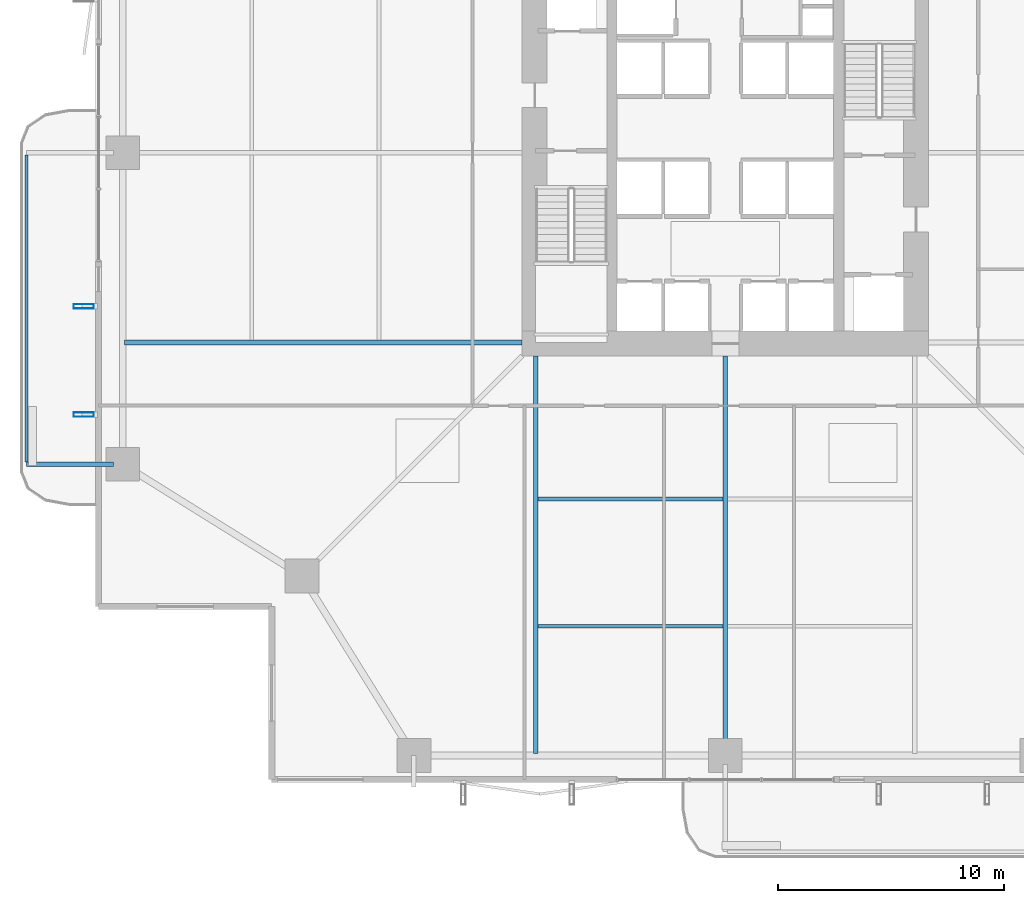
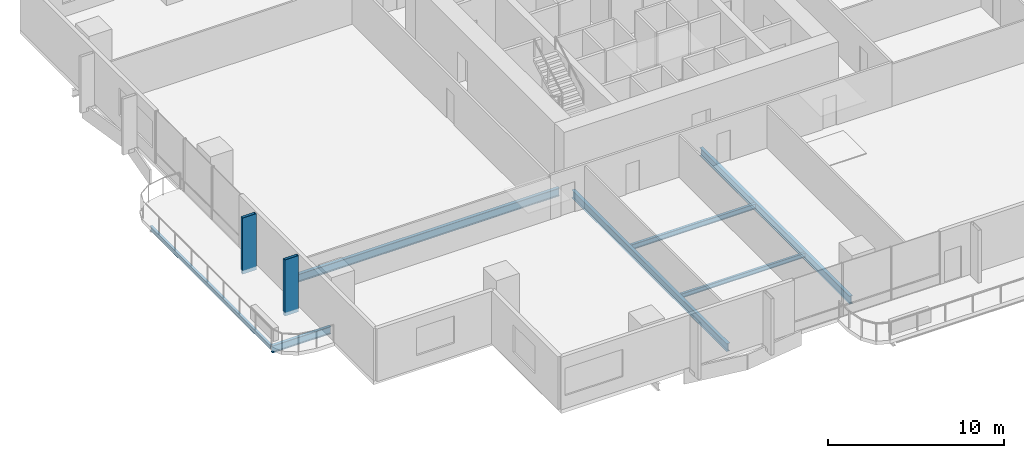
# One storey, part 3 of 24: 7 beams, 2 members.
"""IFC4 building model written with IfcOpenShell, lengths in metres."""

import ifcopenshell
import ifcopenshell.guid

model = None  # the IFC model being written
_history = None  # IfcOwnerHistory: only IFC2X3 demands one
_inside = {}  # id of a spatial element -> (the spatial element, [elements in it])
_under = {}  # id of a project, library or spatial element -> (it, [spatial elements below it])
_declared = {}  # id of a project -> (the project, [libraries it declares])
_typed = {}  # id of a type object -> (the type object, [elements of that type])
_made_of = {}  # id of a material, layer set ... -> (it, [elements and type objects made of it])


def new_model(schema):
    """Start an empty IFC model of exactly this schema.

    Asked for "IFC4X3", IfcOpenShell would pick the latest addendum, in which some entities
    have other attributes; the version numbers below select the first issue.
    IFC2X3 requires an IfcOwnerHistory on every rooted entity: one is made here for all.
    """
    global model, _history
    if schema == "IFC4X3":
        model = ifcopenshell.file(schema_version=(4, 3, 0, 0))
    else:
        model = ifcopenshell.file(schema=schema)
    _inside.clear()
    _under.clear()
    _declared.clear()
    _typed.clear()
    _made_of.clear()
    _history = None
    if model.schema == "IFC2X3":
        org = make("IfcOrganization", Name="unknown")
        user = make(
            "IfcPersonAndOrganization",
            ThePerson=make("IfcPerson", FamilyName="unknown"),
            TheOrganization=org,
        )
        app = make(
            "IfcApplication",
            ApplicationDeveloper=org,
            Version="unknown",
            ApplicationFullName="unknown",
            ApplicationIdentifier="unknown",
        )
        _history = make(
            "IfcOwnerHistory",
            OwningUser=user,
            OwningApplication=app,
            ChangeAction="ADDED",
            CreationDate=0,
        )
    return model


def make(cls, **values):
    """One entity of the class cls with the attributes given. An attribute that is None is left unset."""
    return model.create_entity(
        cls, **{name: value for name, value in values.items() if value is not None}
    )


def rooted(cls, **values):
    """An entity with a GlobalId (a new one), such as an element, a storey or a relation."""
    return make(cls, GlobalId=ifcopenshell.guid.new(), OwnerHistory=_history, **values)


def si_unit(unit_type, name, prefix=None):
    """IfcSIUnit, for example si_unit("LENGTHUNIT", "METRE", prefix="MILLI")."""
    return make("IfcSIUnit", UnitType=unit_type, Prefix=prefix, Name=name)


def assignment(units):
    """IfcUnitAssignment: the units of a project."""
    return None if units is None else make("IfcUnitAssignment", Units=units)


def point(xyz):
    """IfcCartesianPoint."""
    return None if xyz is None else make("IfcCartesianPoint", Coordinates=xyz)


def direction(xyz):
    """IfcDirection."""
    return None if xyz is None else make("IfcDirection", DirectionRatios=xyz)


def frame(location, z_axis=None, x_axis=None):
    """IfcAxis2Placement3D, a coordinate frame: its origin and axes. An axis left out is left unset."""
    return make(
        "IfcAxis2Placement3D",
        Location=point(location),
        Axis=direction(z_axis),
        RefDirection=direction(x_axis),
    )


def frame_2d(location, x_axis=None):
    """IfcAxis2Placement2D, a coordinate frame in the plane: its origin and x axis."""
    return make(
        "IfcAxis2Placement2D", Location=point(location), RefDirection=direction(x_axis)
    )


def origin():
    """The frame at (0, 0, 0) with its axes left unset."""
    return frame((0.0, 0.0, 0.0))


def origin_2d():
    """The frame at (0, 0) in the plane with its x axis left unset."""
    return frame_2d((0.0, 0.0))


def place(relative_to, where):
    """IfcLocalPlacement: puts the frame where relative to a parent placement (None: the world)."""
    return make(
        "IfcLocalPlacement", PlacementRelTo=relative_to, RelativePlacement=where
    )


def context(
    kind, dimensions, precision=None, world=None, true_north=None, identifier=None
):
    """IfcGeometricRepresentationContext, for example the 3D "Model" context."""
    return make(
        "IfcGeometricRepresentationContext",
        ContextIdentifier=identifier,
        ContextType=kind,
        CoordinateSpaceDimension=dimensions,
        Precision=precision,
        WorldCoordinateSystem=world,
        TrueNorth=true_north,
    )


def subcontext(parent, identifier, kind, view, scale=None):
    """IfcGeometricRepresentationSubContext, for example "Body" below "Model"."""
    return make(
        "IfcGeometricRepresentationSubContext",
        ContextIdentifier=identifier,
        ContextType=kind,
        ParentContext=parent,
        TargetScale=scale,
        TargetView=view,
    )


def project(units=None, contexts=None):
    """IfcProject with its units and contexts."""
    return rooted(
        "IfcProject",
        Name="project",
        RepresentationContexts=contexts,
        UnitsInContext=assignment(units),
    )


def spatial(cls, under=None, at=None, **own):
    """A site, building, storey or space (cls), placed at a placement, below another one or the project."""
    s = rooted(cls, ObjectPlacement=at, **own)
    if under is not None:
        _under.setdefault(under.id(), (under, []))[1].append(s)
    return s


def profile(cls, at=None, kind="AREA", **sizes):
    """A parametric profile (cls). Its sizes go by their IFC names, for example OverallWidth=200.0."""
    return make(cls, ProfileType=kind, Position=at, **sizes)


def hollow_rectangle(**sizes):
    """IfcRectangleHollowProfileDef."""
    return profile("IfcRectangleHollowProfileDef", **sizes)


def i_section(**sizes):
    """IfcIShapeProfileDef."""
    return profile("IfcIShapeProfileDef", **sizes)


def extrude(swept, where, along, depth):
    """IfcExtrudedAreaSolid: the profile swept, set in the frame where, extruded along a direction by depth."""
    return make(
        "IfcExtrudedAreaSolid",
        SweptArea=swept,
        Position=where,
        ExtrudedDirection=direction(along),
        Depth=depth,
    )


def shape(context_of_items, identifier, shape_type, items):
    """IfcShapeRepresentation: the items that make up one representation, for example the "Body"."""
    return make(
        "IfcShapeRepresentation",
        ContextOfItems=context_of_items,
        RepresentationIdentifier=identifier,
        RepresentationType=shape_type,
        Items=items,
    )


def material(Name=None, Category=None):
    """IfcMaterial."""
    return make("IfcMaterial", Name=Name, Category=Category)


def material_profile(
    of_material, cross_section, Name=None, Category=None, Priority=None
):
    """IfcMaterialProfile: a cross section and its material."""
    return make(
        "IfcMaterialProfile",
        Name=Name,
        Material=of_material,
        Profile=cross_section,
        Priority=Priority,
        Category=Category,
    )


def profile_set(profiles, Name=None, composite=None):
    """IfcMaterialProfileSet."""
    return make(
        "IfcMaterialProfileSet",
        Name=Name,
        MaterialProfiles=profiles,
        CompositeProfile=composite,
    )


def made_of(thing, what):
    """Note that an element or type object is made of a material, layer set ...; save() writes the relation."""
    if what is not None:
        _made_of.setdefault(what.id(), (what, []))[1].append(thing)
    return thing


def type_object(cls, material=None, **own):
    """A type object (cls), such as IfcWallType, which elements share."""
    return made_of(rooted(cls, **own), material)


def element(
    cls,
    number,
    at=None,
    inside=None,
    cuts=None,
    type_object=None,
    material=None,
    context=None,
    identifier="Body",
    shape_type=None,
    held_by="IfcProductDefinitionShape",
    body=None,
    shapes=None,
    **own,
):
    """One element of the class cls, such as IfcWall. Its Tag is "e" and its number.

    at: its placement. inside: the storey or other place that contains it. cuts: it is an
    opening in that element (IfcRelVoidsElement). A single representation is given by context,
    identifier, shape_type and body (its items); several are given by shapes. held_by: the class
    of the entity that holds the representations. save() writes the other relations.
    """
    e = rooted(cls, Tag="e%d" % number, ObjectPlacement=at, **own)
    if body is not None:
        shapes = [shape(context, identifier, shape_type, body)]
    if shapes is not None:
        e.Representation = make(held_by, Representations=shapes)
    if inside is not None:
        _inside.setdefault(inside.id(), (inside, []))[1].append(e)
    if cuts is not None:
        rooted(
            "IfcRelVoidsElement", RelatingBuildingElement=cuts, RelatedOpeningElement=e
        )
    if type_object is not None:
        _typed.setdefault(type_object.id(), (type_object, []))[1].append(e)
    return made_of(e, material)


def aggregate(whole, parts):
    """IfcRelAggregates: a whole, such as a stair, and the parts it consists of."""
    return rooted("IfcRelAggregates", RelatingObject=whole, RelatedObjects=parts)


def save(model, path):
    """Write the relations noted so far, then the file.

    IfcRelAggregates (storeys below a building ...), IfcRelContainedInSpatialStructure (elements
    in a storey), IfcRelDefinesByType, IfcRelAssociatesMaterial and IfcRelDeclares: one each for
    every whole, place, type object, material and project.
    """
    for whole, parts in _under.values():
        aggregate(whole, parts)
    for where, things in _inside.values():
        rooted(
            "IfcRelContainedInSpatialStructure",
            RelatedElements=things,
            RelatingStructure=where,
        )
    for kind, things in _typed.values():
        rooted("IfcRelDefinesByType", RelatedObjects=things, RelatingType=kind)
    for what, things in _made_of.values():
        rooted("IfcRelAssociatesMaterial", RelatedObjects=things, RelatingMaterial=what)
    for by, libraries in _declared.values():
        rooted("IfcRelDeclares", RelatingContext=by, RelatedDefinitions=libraries)
    model.write(path)


model = new_model("IFC4")

# Units and contexts
model_context = context("Model", 3, precision=1e-05, world=origin(), true_north=direction((0.0, 1.0)))
body_context = subcontext(model_context, "Body", "Model", "MODEL_VIEW")
ifc_project = project(units=[si_unit("LENGTHUNIT", "METRE"), si_unit("AREAUNIT", "SQUARE_METRE"), si_unit("VOLUMEUNIT", "CUBIC_METRE"), si_unit("PLANEANGLEUNIT", "RADIAN"), si_unit("MASSUNIT", "GRAM", prefix="KILO")], contexts=[model_context])

# Site, building, storey
site_placement = place(None, origin())
site = spatial("IfcSite", under=ifc_project, at=site_placement, CompositionType="ELEMENT")
building_placement = place(site_placement, origin())
building = spatial("IfcBuilding", under=site, at=building_placement, Name="Belovzor Exchange Tower", CompositionType="ELEMENT")
storey_placement = place(building_placement, frame((0.0, 0.0, 96.300048828125)))
storey = spatial("IfcBuildingStorey", under=building, at=storey_placement, Name="L23", CompositionType="ELEMENT", Elevation=96.300048828125)

# Beams
ifc_material_1 = material(Name="Steel S355", Category="steel")
ifc_material_profile_1 = material_profile(ifc_material_1, i_section(OverallWidth=0.199951171875, OverallDepth=0.5, WebThickness=0.01025390625, FlangeThickness=0.01611328125, at=origin_2d()))
ifc_profile_set_1 = profile_set([ifc_material_profile_1], Name="Steel S355")
beam_type_1 = type_object("IfcBeamType", Name="Planted Balcony Cantilever Beam IPE 500", PredefinedType="BEAM", material=ifc_profile_set_1)
beam_1_placement = place(storey_placement, frame((1.68798828125, 15.0, -0.5), z_axis=(-1.0, 0.0, 0.0), x_axis=(0.0, -1.0, 0.0)))
element("IfcBeam", 1, at=beam_1_placement, inside=storey, type_object=beam_type_1, Name="BC-500 Planted Balcony Cantilever Beam IPE 500", PredefinedType="BEAM", context=body_context, shape_type="SweptSolid", body=[
    extrude(i_section(OverallWidth=0.199951171875, OverallDepth=0.5, WebThickness=0.01025390625, FlangeThickness=0.01611328125, at=origin_2d()), origin(), (0.0, 0.0, 1.0), 3.85009765625),
])
ifc_material_2 = material(Name="Steel S355", Category="steel")
ifc_material_profile_2 = material_profile(ifc_material_2, i_section(OverallWidth=0.14990234375, OverallDepth=0.300048828125, WebThickness=0.007080078125, FlangeThickness=0.0107421875, at=origin_2d()))
ifc_profile_set_2 = profile_set([ifc_material_profile_2], Name="Steel S355")
beam_type_2 = type_object("IfcBeamType", Name="Planted Balcony Fascia Edge Beam IPE 300", PredefinedType="BEAM", material=ifc_profile_set_2)
beam_2_placement = place(storey_placement, frame((-2.162109375, 28.699951171875, -0.400146484375), z_axis=(0.0, -1.0, 0.0), x_axis=(1.0, 0.0, 0.0)))
element("IfcBeam", 2, at=beam_2_placement, inside=storey, type_object=beam_type_2, Name="BC-300 Planted Balcony Fascia Edge Beam IPE 300", PredefinedType="BEAM", context=body_context, shape_type="SweptSolid", body=[
    extrude(i_section(OverallWidth=0.14990234375, OverallDepth=0.300048828125, WebThickness=0.007080078125, FlangeThickness=0.0107421875, at=origin_2d()), origin(), (0.0, 0.0, 1.0), 13.599853515625),
])
ifc_material_3 = material(Name="Steel S355", Category="steel")
ifc_material_profile_3 = material_profile(ifc_material_3, i_section(OverallWidth=0.169921875, OverallDepth=0.360107421875, WebThickness=0.008056640625, FlangeThickness=0.0126953125, at=origin_2d()))
ifc_profile_set_3 = profile_set([ifc_material_profile_3], Name="Steel S355")
beam_type_3 = type_object("IfcBeamType", Name="Secondary Infill Floor Joist IPE 360", PredefinedType="BEAM", material=ifc_profile_set_3)
beam_3_placement = place(storey_placement, frame((20.5048828125, 13.455078125, -0.429931640625), z_axis=(1.0, 0.0, 0.0), x_axis=(0.0, 1.0, 0.0)))
element("IfcBeam", 3, at=beam_3_placement, inside=storey, type_object=beam_type_3, Name="FJ-360 Secondary Infill Floor Joist IPE 360", PredefinedType="BEAM", context=body_context, shape_type="SweptSolid", body=[
    extrude(i_section(OverallWidth=0.169921875, OverallDepth=0.360107421875, WebThickness=0.008056640625, FlangeThickness=0.0126953125, at=origin_2d()), origin(), (0.0, 0.0, 1.0), 8.190185546875),
])
ifc_material_4 = material(Name="Steel S355", Category="steel")
ifc_material_profile_4 = material_profile(ifc_material_4, i_section(OverallWidth=0.14990234375, OverallDepth=0.300048828125, WebThickness=0.007080078125, FlangeThickness=0.0107421875, at=origin_2d()))
ifc_profile_set_4 = profile_set([ifc_material_profile_4], Name="Steel S355")
beam_type_4 = type_object("IfcBeamType", Name="Secondary Trim Floor Joist IPE 300", PredefinedType="BEAM", material=ifc_profile_set_4)
beam_4_placement = place(storey_placement, frame((20.5048828125, 7.81494140625, -0.400146484375), z_axis=(1.0, 0.0, 0.0), x_axis=(0.0, 1.0, 0.0)))
element("IfcBeam", 4, at=beam_4_placement, inside=storey, type_object=beam_type_4, Name="FJ-300 Secondary Trim Floor Joist IPE 300", PredefinedType="BEAM", context=body_context, shape_type="SweptSolid", body=[
    extrude(i_section(OverallWidth=0.14990234375, OverallDepth=0.300048828125, WebThickness=0.007080078125, FlangeThickness=0.0107421875, at=origin_2d()), origin(), (0.0, 0.0, 1.0), 8.190185546875),
])

# Members
ifc_material_5 = material(Name="Extruded Architectural Terracotta on Steel S355 Carrier", Category="masonry")
ifc_material_profile_5 = material_profile(ifc_material_5, hollow_rectangle(XDim=0.199951171875, YDim=0.89990234375, WallThickness=0.011962890625, at=origin_2d()))
ifc_profile_set_5 = profile_set([ifc_material_profile_5], Name="Extruded Architectural Terracotta on Steel S355 Carrier")
member_type = type_object("IfcMemberType", Name="Sweeping Terracotta Baguette Fin Assembly 1250", PredefinedType="USERDEFINED", material=ifc_profile_set_5)
for number, where, z_axis, x_axis, name in (
    (5, (0.375, 17.199951171875, -0.25), (0.0, 0.0, 1.0), (0.0, 1.0, 0.0), "FIN-TC125 Terracotta Facade Fin L23 W1"),
    (6, (0.375, 22.0, -0.25), (0.0, 0.0, 1.0), (0.0, 1.0, 0.0), "FIN-TC125 Terracotta Facade Fin L23 W2"),
):
    element("IfcMember", number, at=place(storey_placement, frame(where, z_axis=z_axis, x_axis=x_axis)), inside=storey, type_object=member_type, Name=name, ObjectType="FIN", PredefinedType="USERDEFINED", context=body_context, shape_type="SweptSolid", body=[
        extrude(hollow_rectangle(XDim=0.199951171875, YDim=0.89990234375, WallThickness=0.011962890625, at=origin_2d()), origin(), (0.0, 0.0, 1.0), 3.89990234375),
    ])

# Beams
ifc_material_6 = material(Name="Steel S355", Category="steel")
ifc_material_profile_6 = material_profile(ifc_material_6, i_section(OverallWidth=0.2099609375, OverallDepth=0.550048828125, WebThickness=0.010986328125, FlangeThickness=0.01708984375, at=origin_2d()))
ifc_profile_set_6 = profile_set([ifc_material_profile_6], Name="Steel S355")
beam_type_5 = type_object("IfcBeamType", Name="Zone 1 Radial Composite Floor Beam IPE 550", PredefinedType="BEAM", material=ifc_profile_set_6)
beam_5_placement = place(storey_placement, frame((20.39990234375, 19.800048828125, -0.525146484375), z_axis=(0.0, -1.0, 0.0), x_axis=(1.0, 0.0, 0.0)))
element("IfcBeam", 7, at=beam_5_placement, inside=storey, type_object=beam_type_5, Name="FB-550 Zone 1 Radial Composite Floor Beam IPE 550", PredefinedType="BEAM", context=body_context, shape_type="SweptSolid", body=[
    extrude(i_section(OverallWidth=0.2099609375, OverallDepth=0.550048828125, WebThickness=0.010986328125, FlangeThickness=0.01708984375, at=origin_2d()), origin(), (0.0, 0.0, 1.0), 17.625),
])
beam_6_placement = place(storey_placement, frame((28.800048828125, 19.800048828125, -0.525146484375), z_axis=(0.0, -1.0, 0.0), x_axis=(1.0, 0.0, 0.0)))
element("IfcBeam", 8, at=beam_6_placement, inside=storey, type_object=beam_type_5, Name="FB-550 Zone 1 Radial Composite Floor Beam IPE 550", PredefinedType="BEAM", context=body_context, shape_type="SweptSolid", body=[
    extrude(i_section(OverallWidth=0.2099609375, OverallDepth=0.550048828125, WebThickness=0.010986328125, FlangeThickness=0.01708984375, at=origin_2d()), origin(), (0.0, 0.0, 1.0), 17.0400390625),
])
beam_7_placement = place(storey_placement, frame((19.800048828125, 20.39990234375, -0.525146484375), z_axis=(-1.0, 0.0, 0.0), x_axis=(0.0, -1.0, 0.0)))
element("IfcBeam", 9, at=beam_7_placement, inside=storey, type_object=beam_type_5, Name="FB-550 Zone 1 Radial Composite Floor Beam IPE 550", PredefinedType="BEAM", context=body_context, shape_type="SweptSolid", body=[
    extrude(i_section(OverallWidth=0.2099609375, OverallDepth=0.550048828125, WebThickness=0.010986328125, FlangeThickness=0.01708984375, at=origin_2d()), origin(), (0.0, 0.0, 1.0), 17.625),
])

save(model, "model.ifc")
